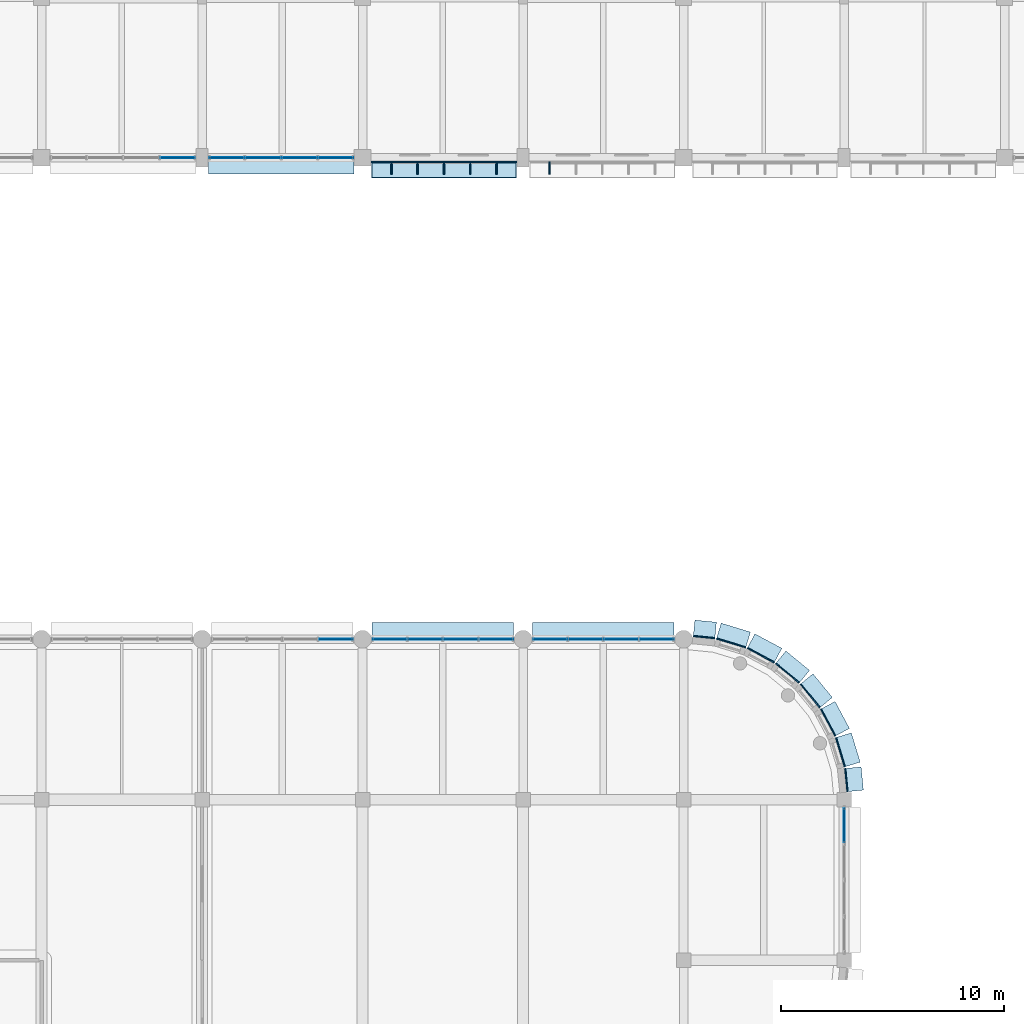
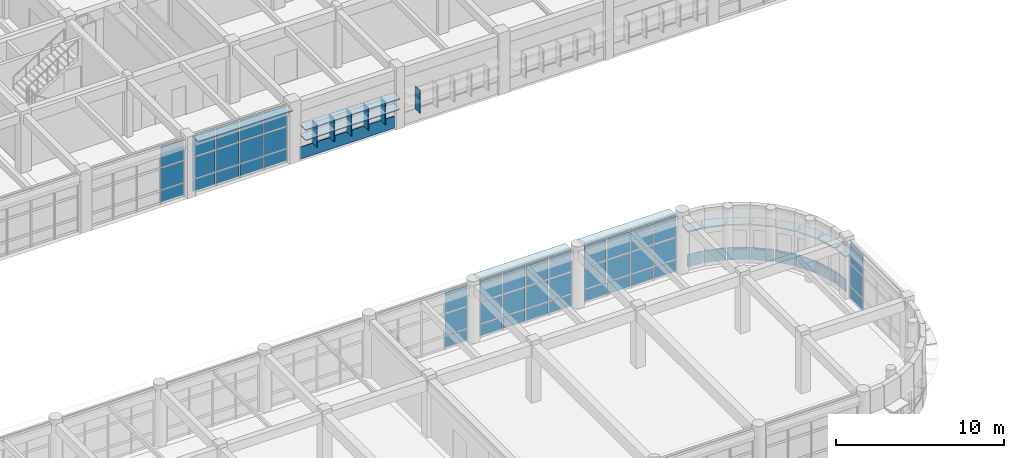
# One storey, part 136 of 171: 73 plates, 6 elements without a shape of their own.
"""IFC4 building model written with IfcOpenShell, lengths in metres."""

import ifcopenshell
import ifcopenshell.guid

model = None  # the IFC model being written
_history = None  # IfcOwnerHistory: only IFC2X3 demands one
_inside = {}  # id of a spatial element -> (the spatial element, [elements in it])
_under = {}  # id of a project, library or spatial element -> (it, [spatial elements below it])
_declared = {}  # id of a project -> (the project, [libraries it declares])
_typed = {}  # id of a type object -> (the type object, [elements of that type])
_made_of = {}  # id of a material, layer set ... -> (it, [elements and type objects made of it])


def new_model(schema):
    """Start an empty IFC model of exactly this schema.

    Asked for "IFC4X3", IfcOpenShell would pick the latest addendum, in which some entities
    have other attributes; the version numbers below select the first issue.
    IFC2X3 requires an IfcOwnerHistory on every rooted entity: one is made here for all.
    """
    global model, _history
    if schema == "IFC4X3":
        model = ifcopenshell.file(schema_version=(4, 3, 0, 0))
    else:
        model = ifcopenshell.file(schema=schema)
    _inside.clear()
    _under.clear()
    _declared.clear()
    _typed.clear()
    _made_of.clear()
    _history = None
    if model.schema == "IFC2X3":
        org = make("IfcOrganization", Name="unknown")
        user = make(
            "IfcPersonAndOrganization",
            ThePerson=make("IfcPerson", FamilyName="unknown"),
            TheOrganization=org,
        )
        app = make(
            "IfcApplication",
            ApplicationDeveloper=org,
            Version="unknown",
            ApplicationFullName="unknown",
            ApplicationIdentifier="unknown",
        )
        _history = make(
            "IfcOwnerHistory",
            OwningUser=user,
            OwningApplication=app,
            ChangeAction="ADDED",
            CreationDate=0,
        )
    return model


def make(cls, **values):
    """One entity of the class cls with the attributes given. An attribute that is None is left unset."""
    return model.create_entity(
        cls, **{name: value for name, value in values.items() if value is not None}
    )


def rooted(cls, **values):
    """An entity with a GlobalId (a new one), such as an element, a storey or a relation."""
    return make(cls, GlobalId=ifcopenshell.guid.new(), OwnerHistory=_history, **values)


def si_unit(unit_type, name, prefix=None):
    """IfcSIUnit, for example si_unit("LENGTHUNIT", "METRE", prefix="MILLI")."""
    return make("IfcSIUnit", UnitType=unit_type, Prefix=prefix, Name=name)


def assignment(units):
    """IfcUnitAssignment: the units of a project."""
    return None if units is None else make("IfcUnitAssignment", Units=units)


def point(xyz):
    """IfcCartesianPoint."""
    return None if xyz is None else make("IfcCartesianPoint", Coordinates=xyz)


def direction(xyz):
    """IfcDirection."""
    return None if xyz is None else make("IfcDirection", DirectionRatios=xyz)


def frame(location, z_axis=None, x_axis=None):
    """IfcAxis2Placement3D, a coordinate frame: its origin and axes. An axis left out is left unset."""
    return make(
        "IfcAxis2Placement3D",
        Location=point(location),
        Axis=direction(z_axis),
        RefDirection=direction(x_axis),
    )


def frame_2d(location, x_axis=None):
    """IfcAxis2Placement2D, a coordinate frame in the plane: its origin and x axis."""
    return make(
        "IfcAxis2Placement2D", Location=point(location), RefDirection=direction(x_axis)
    )


def origin():
    """The frame at (0, 0, 0) with its axes left unset."""
    return frame((0.0, 0.0, 0.0))


def origin_2d():
    """The frame at (0, 0) in the plane with its x axis left unset."""
    return frame_2d((0.0, 0.0))


def place(relative_to, where):
    """IfcLocalPlacement: puts the frame where relative to a parent placement (None: the world)."""
    return make(
        "IfcLocalPlacement", PlacementRelTo=relative_to, RelativePlacement=where
    )


def context(
    kind, dimensions, precision=None, world=None, true_north=None, identifier=None
):
    """IfcGeometricRepresentationContext, for example the 3D "Model" context."""
    return make(
        "IfcGeometricRepresentationContext",
        ContextIdentifier=identifier,
        ContextType=kind,
        CoordinateSpaceDimension=dimensions,
        Precision=precision,
        WorldCoordinateSystem=world,
        TrueNorth=true_north,
    )


def subcontext(parent, identifier, kind, view, scale=None):
    """IfcGeometricRepresentationSubContext, for example "Body" below "Model"."""
    return make(
        "IfcGeometricRepresentationSubContext",
        ContextIdentifier=identifier,
        ContextType=kind,
        ParentContext=parent,
        TargetScale=scale,
        TargetView=view,
    )


def project(units=None, contexts=None):
    """IfcProject with its units and contexts."""
    return rooted(
        "IfcProject",
        Name="project",
        RepresentationContexts=contexts,
        UnitsInContext=assignment(units),
    )


def spatial(cls, under=None, at=None, **own):
    """A site, building, storey or space (cls), placed at a placement, below another one or the project."""
    s = rooted(cls, ObjectPlacement=at, **own)
    if under is not None:
        _under.setdefault(under.id(), (under, []))[1].append(s)
    return s


def profile(cls, at=None, kind="AREA", **sizes):
    """A parametric profile (cls). Its sizes go by their IFC names, for example OverallWidth=200.0."""
    return make(cls, ProfileType=kind, Position=at, **sizes)


def rectangle(**sizes):
    """IfcRectangleProfileDef."""
    return profile("IfcRectangleProfileDef", **sizes)


def extrude(swept, where, along, depth):
    """IfcExtrudedAreaSolid: the profile swept, set in the frame where, extruded along a direction by depth."""
    return make(
        "IfcExtrudedAreaSolid",
        SweptArea=swept,
        Position=where,
        ExtrudedDirection=direction(along),
        Depth=depth,
    )


def shape(context_of_items, identifier, shape_type, items):
    """IfcShapeRepresentation: the items that make up one representation, for example the "Body"."""
    return make(
        "IfcShapeRepresentation",
        ContextOfItems=context_of_items,
        RepresentationIdentifier=identifier,
        RepresentationType=shape_type,
        Items=items,
    )


def material(Name=None, Category=None):
    """IfcMaterial."""
    return make("IfcMaterial", Name=Name, Category=Category)


def layer(
    of_material, thickness, ventilated=None, Name=None, Category=None, Priority=None
):
    """IfcMaterialLayer: one layer of a wall or slab, of a material (None: an air gap)."""
    return make(
        "IfcMaterialLayer",
        Material=of_material,
        LayerThickness=thickness,
        IsVentilated=ventilated,
        Name=Name,
        Category=Category,
        Priority=Priority,
    )


def layer_set(layers, Name=None):
    """IfcMaterialLayerSet."""
    return make("IfcMaterialLayerSet", MaterialLayers=layers, LayerSetName=Name)


def made_of(thing, what):
    """Note that an element or type object is made of a material, layer set ...; save() writes the relation."""
    if what is not None:
        _made_of.setdefault(what.id(), (what, []))[1].append(thing)
    return thing


def type_object(cls, material=None, **own):
    """A type object (cls), such as IfcWallType, which elements share."""
    return made_of(rooted(cls, **own), material)


def element(
    cls,
    number,
    at=None,
    inside=None,
    cuts=None,
    type_object=None,
    material=None,
    context=None,
    identifier="Body",
    shape_type=None,
    held_by="IfcProductDefinitionShape",
    body=None,
    shapes=None,
    **own,
):
    """One element of the class cls, such as IfcWall. Its Tag is "e" and its number.

    at: its placement. inside: the storey or other place that contains it. cuts: it is an
    opening in that element (IfcRelVoidsElement). A single representation is given by context,
    identifier, shape_type and body (its items); several are given by shapes. held_by: the class
    of the entity that holds the representations. save() writes the other relations.
    """
    e = rooted(cls, Tag="e%d" % number, ObjectPlacement=at, **own)
    if body is not None:
        shapes = [shape(context, identifier, shape_type, body)]
    if shapes is not None:
        e.Representation = make(held_by, Representations=shapes)
    if inside is not None:
        _inside.setdefault(inside.id(), (inside, []))[1].append(e)
    if cuts is not None:
        rooted(
            "IfcRelVoidsElement", RelatingBuildingElement=cuts, RelatedOpeningElement=e
        )
    if type_object is not None:
        _typed.setdefault(type_object.id(), (type_object, []))[1].append(e)
    return made_of(e, material)


def aggregate(whole, parts):
    """IfcRelAggregates: a whole, such as a stair, and the parts it consists of."""
    return rooted("IfcRelAggregates", RelatingObject=whole, RelatedObjects=parts)


def save(model, path):
    """Write the relations noted so far, then the file.

    IfcRelAggregates (storeys below a building ...), IfcRelContainedInSpatialStructure (elements
    in a storey), IfcRelDefinesByType, IfcRelAssociatesMaterial and IfcRelDeclares: one each for
    every whole, place, type object, material and project.
    """
    for whole, parts in _under.values():
        aggregate(whole, parts)
    for where, things in _inside.values():
        rooted(
            "IfcRelContainedInSpatialStructure",
            RelatedElements=things,
            RelatingStructure=where,
        )
    for kind, things in _typed.values():
        rooted("IfcRelDefinesByType", RelatedObjects=things, RelatingType=kind)
    for what, things in _made_of.values():
        rooted("IfcRelAssociatesMaterial", RelatedObjects=things, RelatingMaterial=what)
    for by, libraries in _declared.values():
        rooted("IfcRelDeclares", RelatingContext=by, RelatedDefinitions=libraries)
    model.write(path)


model = new_model("IFC4")

# Units and contexts
model_context = context("Model", 3, precision=1e-05, world=origin(), true_north=direction((0.0, 1.0)))
body_context = subcontext(model_context, "Body", "Model", "MODEL_VIEW")
ifc_project = project(units=[si_unit("LENGTHUNIT", "METRE"), si_unit("AREAUNIT", "SQUARE_METRE"), si_unit("VOLUMEUNIT", "CUBIC_METRE"), si_unit("PLANEANGLEUNIT", "RADIAN"), si_unit("MASSUNIT", "GRAM", prefix="KILO")], contexts=[model_context])

# Site, building, storey
site_placement = place(None, origin())
site = spatial("IfcSite", under=ifc_project, at=site_placement, CompositionType="ELEMENT")
building_placement = place(site_placement, origin())
building = spatial("IfcBuilding", under=site, at=building_placement, Name="Thalmaran Polytechnic", CompositionType="ELEMENT")
storey_placement = place(building_placement, frame((0.0, 0.0, 5.39990234375)))
storey = spatial("IfcBuildingStorey", under=building, at=storey_placement, Name="L01", CompositionType="ELEMENT", Elevation=5.39990234375)

# Plates
ifc_material_1 = material(Name="Anodised aluminium spandrel band", Category="aluminium")
ifc_layer_1 = layer(ifc_material_1, 0.054931640625, Name="Anodised aluminium spandrel band")
ifc_layer_set_1 = layer_set([ifc_layer_1], Name="Anodised aluminium spandrel band")
plate_type_1 = type_object("IfcPlateType", Name="PT-BD01", PredefinedType="SHEET", material=ifc_layer_set_1)
plate_1_placement = place(storey_placement, frame((87.319091796875, 72.09033203125, 0.020263671875), z_axis=(0.0, 0.0, 1.0), x_axis=(0.995184726672, -0.09801714033, 0.0)))
element("IfcPlate", 1, at=plate_1_placement, inside=storey, type_object=plate_type_1, Name="Streamline Horizontal Spandrel Band L01-144", PredefinedType="SHEET", context=body_context, shape_type="SweptSolid", body=[
    extrude(rectangle(XDim=0.971435546875, YDim=0.054931640625, at=origin_2d()), origin(), (0.0, 0.0, 1.0), 0.8798828125),
])
for number, where, z_axis, x_axis, name in (
    (2, (88.5322265625, 71.8291015625, 0.020263671875), (0.0, 0.0, 1.0), (0.956940335732, -0.290284677254, 0.0), "Streamline Horizontal Spandrel Band L01-145"),
    (3, (89.862548828125, 71.278076171875, 0.020263671875), (0.0, 0.0, 1.0), (0.881921264348, -0.471396736826, 0.0), "Streamline Horizontal Spandrel Band L01-146"),
    (4, (91.059814453125, 70.47802734375, 0.020263671875), (0.0, 0.0, 1.0), (0.773010453363, -0.634393284164, 0.0), "Streamline Horizontal Spandrel Band L01-147"),
    (5, (92.078125, 69.459716796875, 0.020263671875), (0.0, 0.0, 1.0), (0.634393284164, -0.773010453363, 0.0), "Streamline Horizontal Spandrel Band L01-148"),
    (6, (92.8779296875, 68.262451171875, 0.020263671875), (0.0, 0.0, 1.0), (0.471396736826, -0.881921264348, 0.0), "Streamline Horizontal Spandrel Band L01-149"),
    (7, (93.428955078125, 66.93212890625, 0.020263671875), (0.0, 0.0, 1.0), (0.290284677254, -0.956940335732, 0.0), "Streamline Horizontal Spandrel Band L01-150"),
):
    element("IfcPlate", number, at=place(storey_placement, frame(where, z_axis=z_axis, x_axis=x_axis)), inside=storey, type_object=plate_type_1, Name=name, PredefinedType="SHEET", context=body_context, shape_type="SweptSolid", body=[
        extrude(rectangle(XDim=1.371337890625, YDim=0.054931640625, at=origin_2d()), origin(), (0.0, 0.0, 1.0), 0.8798828125),
    ])
plate_2_placement = place(storey_placement, frame((93.694091796875, 65.681640625, 0.020263671875), z_axis=(0.0, 0.0, 1.0), x_axis=(0.09801714033, -0.995184726672, 0.0)))
element("IfcPlate", 8, at=plate_2_placement, inside=storey, type_object=plate_type_1, Name="Streamline Horizontal Spandrel Band L01-151", PredefinedType="SHEET", context=body_context, shape_type="SweptSolid", body=[
    extrude(rectangle(XDim=1.04638671875, YDim=0.054931640625, at=origin_2d()), origin(), (0.0, 0.0, 1.0), 0.8798828125),
])
plate_3_placement = place(storey_placement, frame((75.64990234375, 93.405029296875, 0.020263671875), z_axis=(0.0, 0.0, 1.0), x_axis=(-1.0, 0.0, 0.0)))
element("IfcPlate", 9, at=plate_3_placement, inside=storey, type_object=plate_type_1, Name="Streamline Horizontal Spandrel Band L01-212", PredefinedType="SHEET", context=body_context, shape_type="SweptSolid", body=[
    extrude(rectangle(XDim=6.510009765625, YDim=0.054931640625, at=origin_2d()), origin(), (0.0, 0.0, 1.0), 0.8798828125),
])
ifc_material_2 = material(Name="Anodised aluminium sun-hood eyebrow", Category="aluminium")
ifc_layer_2 = layer(ifc_material_2, 0.0849609375, Name="Anodised aluminium sun-hood eyebrow")
ifc_layer_set_2 = layer_set([ifc_layer_2], Name="Anodised aluminium sun-hood eyebrow")
plate_type_2 = type_object("IfcPlateType", Name="PT-EB01", PredefinedType="SHEET", material=ifc_layer_set_2)
plate_4_placement = place(storey_placement, frame((68.35009765625, 93.239990234375, 4.107666015625), z_axis=(0.0, 0.0, 1.0), x_axis=(-1.0, 0.0, 0.0)))
element("IfcPlate", 10, at=plate_4_placement, inside=storey, type_object=plate_type_2, Name="Streamline Sun-Hood Eyebrow L01-CW129", PredefinedType="SHEET", context=body_context, shape_type="SweptSolid", body=[
    extrude(rectangle(XDim=6.510009765625, YDim=0.760009765625, at=origin_2d()), origin(), (0.0, 0.0, 1.0), 0.0849609375),
])
for number, where, z_axis, x_axis, name in (
    (11, (75.60009765625, 72.360107421875, 4.107666015625), (0.0, 0.0, 1.0), (1.0, 0.0, 0.0), "Streamline Sun-Hood Eyebrow L01-CW146"),
    (12, (82.800048828125, 72.360107421875, 4.107666015625), (0.0, 0.0, 1.0), (1.0, 0.0, 0.0), "Streamline Sun-Hood Eyebrow L01-CW147"),
):
    element("IfcPlate", number, at=place(storey_placement, frame(where, z_axis=z_axis, x_axis=x_axis)), inside=storey, type_object=plate_type_2, Name=name, PredefinedType="SHEET", context=body_context, shape_type="SweptSolid", body=[
        extrude(rectangle(XDim=6.360107421875, YDim=0.760009765625, at=origin_2d()), origin(), (0.0, 0.0, 1.0), 0.0849609375),
    ])
plate_5_placement = place(storey_placement, frame((87.352783203125, 72.43359375, 2.517578125), z_axis=(0.0, 0.0, 1.0), x_axis=(0.995184726672, -0.09801714033, 0.0)))
element("IfcPlate", 13, at=plate_5_placement, inside=storey, type_object=plate_type_2, Name="Streamline Sun-Hood Eyebrow L01-144", PredefinedType="SHEET", context=body_context, shape_type="SweptSolid", body=[
    extrude(rectangle(XDim=0.971435546875, YDim=0.760009765625, at=origin_2d()), origin(), (0.0, 0.0, 1.0), 0.0849609375),
])
for number, where, z_axis, x_axis, name in (
    (14, (88.63232421875, 72.1591796875, 2.517578125), (0.0, 0.0, 1.0), (0.956940335732, -0.290284677254, 0.0), "Streamline Sun-Hood Eyebrow L01-145"),
    (15, (90.025146484375, 71.582275390625, 2.517578125), (0.0, 0.0, 1.0), (0.881921264348, -0.471396736826, 0.0), "Streamline Sun-Hood Eyebrow L01-146"),
    (16, (91.27880859375, 70.74462890625, 2.517578125), (0.0, 0.0, 1.0), (0.773010453363, -0.634393284164, 0.0), "Streamline Sun-Hood Eyebrow L01-147"),
    (17, (92.3447265625, 69.6787109375, 2.517578125), (0.0, 0.0, 1.0), (0.634393284164, -0.773010453363, 0.0), "Streamline Sun-Hood Eyebrow L01-148"),
    (18, (93.182373046875, 68.42529296875, 2.517578125), (0.0, 0.0, 1.0), (0.471396736826, -0.881921264348, 0.0), "Streamline Sun-Hood Eyebrow L01-149"),
    (19, (93.75927734375, 67.032470703125, 2.517578125), (0.0, 0.0, 1.0), (0.290284677254, -0.956940335732, 0.0), "Streamline Sun-Hood Eyebrow L01-150"),
):
    element("IfcPlate", number, at=place(storey_placement, frame(where, z_axis=z_axis, x_axis=x_axis)), inside=storey, type_object=plate_type_2, Name=name, PredefinedType="SHEET", context=body_context, shape_type="SweptSolid", body=[
        extrude(rectangle(XDim=1.371337890625, YDim=0.760009765625, at=origin_2d()), origin(), (0.0, 0.0, 1.0), 0.0849609375),
    ])
plate_6_placement = place(storey_placement, frame((94.037353515625, 65.715576171875, 2.517578125), z_axis=(0.0, 0.0, 1.0), x_axis=(0.09801714033, -0.995184726672, 0.0)))
element("IfcPlate", 20, at=plate_6_placement, inside=storey, type_object=plate_type_2, Name="Streamline Sun-Hood Eyebrow L01-151", PredefinedType="SHEET", context=body_context, shape_type="SweptSolid", body=[
    extrude(rectangle(XDim=1.04638671875, YDim=0.760009765625, at=origin_2d()), origin(), (0.0, 0.0, 1.0), 0.0849609375),
])
plate_7_placement = place(storey_placement, frame((75.64990234375, 93.06005859375, 2.517578125), z_axis=(0.0, 0.0, 1.0), x_axis=(-1.0, 0.0, 0.0)))
element("IfcPlate", 21, at=plate_7_placement, inside=storey, type_object=plate_type_2, Name="Streamline Sun-Hood Eyebrow L01-212", PredefinedType="SHEET", context=body_context, shape_type="SweptSolid", body=[
    extrude(rectangle(XDim=6.510009765625, YDim=0.760009765625, at=origin_2d()), origin(), (0.0, 0.0, 1.0), 0.0849609375),
])
plate_8_placement = place(storey_placement, frame((75.64990234375, 93.080078125, 1.74267578125), z_axis=(0.0, 0.0, 1.0), x_axis=(-1.0, 0.0, 0.0)))
element("IfcPlate", 22, at=plate_8_placement, inside=storey, type_object=plate_type_2, Name="Abu Dhabi Horizontal Solar Louvre L01-212", PredefinedType="SHEET", context=body_context, shape_type="SweptSolid", body=[
    extrude(rectangle(XDim=6.469970703125, YDim=0.719970703125, at=origin_2d()), origin(), (0.0, 0.0, 1.0), 0.074951171875),
])
ifc_material_3 = material(Name="Anodised bronze brise-soleil fin")
ifc_layer_3 = layer(ifc_material_3, 0.06494140625, Name="Anodised bronze brise-soleil fin")
ifc_layer_set_3 = layer_set([ifc_layer_3], Name="Anodised bronze brise-soleil fin")
plate_type_3 = type_object("IfcPlateType", Name="PT-FN01", PredefinedType="SHEET", material=ifc_layer_set_3)
for number, where, z_axis, x_axis, name in (
    (23, (80.39208984375, 93.139892578125, 0.895263671875), (0.0, 0.0, 1.0), (-1.0, 0.0, 0.0), "Abu Dhabi Solar Brise-Soleil Fin L01-211-5"),
    (24, (78.008056640625, 93.139892578125, 0.895263671875), (0.0, 0.0, 1.0), (-1.0, 0.0, 0.0), "Abu Dhabi Solar Brise-Soleil Fin L01-212-1"),
    (25, (76.8291015625, 93.139892578125, 0.895263671875), (0.0, 0.0, 1.0), (-1.0, 0.0, 0.0), "Abu Dhabi Solar Brise-Soleil Fin L01-212-2"),
    (26, (75.64990234375, 93.139892578125, 0.895263671875), (0.0, 0.0, 1.0), (-1.0, 0.0, 0.0), "Abu Dhabi Solar Brise-Soleil Fin L01-212-3"),
    (27, (74.470947265625, 93.139892578125, 0.895263671875), (0.0, 0.0, 1.0), (-1.0, 0.0, 0.0), "Abu Dhabi Solar Brise-Soleil Fin L01-212-4"),
    (28, (73.2919921875, 93.139892578125, 0.895263671875), (0.0, 0.0, 1.0), (-1.0, 0.0, 0.0), "Abu Dhabi Solar Brise-Soleil Fin L01-212-5"),
):
    element("IfcPlate", number, at=place(storey_placement, frame(where, z_axis=z_axis, x_axis=x_axis)), inside=storey, type_object=plate_type_3, Name=name, PredefinedType="SHEET", context=body_context, shape_type="SweptSolid", body=[
        extrude(rectangle(XDim=0.06494140625, YDim=0.56005859375, at=origin_2d()), origin(), (0.0, 0.0, 1.0), 1.64990234375),
    ])

# Curtain wall, plates
ifc_material_4 = material(Name="Aluminium 6063-T6", Category="aluminium")
curtain_wall_type_1 = type_object("IfcCurtainWallType", Name="CW-UC02", PredefinedType="USERDEFINED", material=ifc_material_4)
curtain_wall_1_placement = place(storey_placement, origin())
curtain_wall_1 = element("IfcCurtainWall", 29, at=curtain_wall_1_placement, inside=storey, type_object=curtain_wall_type_1, Name="Curtain Wall CW-L01-130", ObjectType="UNITISED CURTAIN WALL", PredefinedType="USERDEFINED")
ifc_material_5 = material(Name="Solar-control double low-E glass", Category="glass")
ifc_layer_4 = layer(ifc_material_5, 0.035888671875, Name="Solar-control double low-E glass")
ifc_layer_set_4 = layer_set([ifc_layer_4], Name="Solar-control double low-E glass")
plate_type_4 = type_object("IfcPlateType", Name="PT-GL01", PredefinedType="CURTAIN_PANEL", material=ifc_layer_set_4)
plate_9_placement = place(storey_placement, frame((63.706298828125, 93.60009765625, 1.000244140625), z_axis=(0.0, 0.0, 1.0), x_axis=(-1.0, 0.0, 0.0)))
plate_9 = element("IfcPlate", 30, at=plate_9_placement, type_object=plate_type_4, Name="CW-L01-130 Vision Panel 1-2", PredefinedType="CURTAIN_PANEL", context=body_context, shape_type="SweptSolid", body=[
    extrude(rectangle(XDim=1.53759765625, YDim=0.035888671875, at=origin_2d()), origin(), (0.0, 0.0, 1.0), 1.544921875),
])
plate_10_placement = place(storey_placement, frame((63.706298828125, 93.60009765625, 2.625), z_axis=(0.0, 0.0, 1.0), x_axis=(-1.0, 0.0, 0.0)))
plate_10 = element("IfcPlate", 31, at=plate_10_placement, type_object=plate_type_4, Name="CW-L01-130 Vision Panel 1-3", PredefinedType="CURTAIN_PANEL", context=body_context, shape_type="SweptSolid", body=[
    extrude(rectangle(XDim=1.53759765625, YDim=0.035888671875, at=origin_2d()), origin(), (0.0, 0.0, 1.0), 1.485107421875),
])

curtain_wall_type_2 = type_object("IfcCurtainWallType", Name="CW-SC01", PredefinedType="USERDEFINED", material=ifc_material_4)
curtain_wall_2_placement = place(storey_placement, origin())
curtain_wall_2 = element("IfcCurtainWall", 32, at=curtain_wall_2_placement, inside=storey, type_object=curtain_wall_type_2, Name="Curtain Wall CW-L01-145", ObjectType="STICK CURTAIN WALL", PredefinedType="USERDEFINED")
plate_11_placement = place(storey_placement, frame((70.800048828125, 72.0, 1.000244140625), z_axis=(0.0, 0.0, 1.0), x_axis=(1.0, 0.0, 0.0)))
plate_11 = element("IfcPlate", 33, at=plate_11_placement, type_object=plate_type_4, Name="CW-L01-145 Vision Panel 4-2", PredefinedType="CURTAIN_PANEL", context=body_context, shape_type="SweptSolid", body=[
    extrude(rectangle(XDim=1.5, YDim=0.035888671875, at=origin_2d()), origin(), (0.0, 0.0, 1.0), 1.544921875),
])
plate_12_placement = place(storey_placement, frame((70.800048828125, 72.0, 2.625), z_axis=(0.0, 0.0, 1.0), x_axis=(1.0, 0.0, 0.0)))
plate_12 = element("IfcPlate", 34, at=plate_12_placement, type_object=plate_type_4, Name="CW-L01-145 Vision Panel 4-3", PredefinedType="CURTAIN_PANEL", context=body_context, shape_type="SweptSolid", body=[
    extrude(rectangle(XDim=1.5, YDim=0.035888671875, at=origin_2d()), origin(), (0.0, 0.0, 1.0), 1.485107421875),
])

curtain_wall_3_placement = place(storey_placement, origin())
curtain_wall_3 = element("IfcCurtainWall", 35, at=curtain_wall_3_placement, inside=storey, type_object=curtain_wall_type_2, Name="Curtain Wall CW-L01-146", ObjectType="STICK CURTAIN WALL", PredefinedType="USERDEFINED")
ifc_layer_5 = layer(ifc_material_5, 0.035888671875, Name="Solar-control double low-E glass")
ifc_layer_set_5 = layer_set([ifc_layer_5], Name="Solar-control double low-E glass")
plate_type_5 = type_object("IfcPlateType", Name="PT-GL02", PredefinedType="CURTAIN_PANEL", material=ifc_layer_set_5)
plate_13_placement = place(storey_placement, frame((73.199951171875, 72.0, 1.000244140625), z_axis=(0.0, 0.0, 1.0), x_axis=(1.0, 0.0, 0.0)))
plate_13 = element("IfcPlate", 36, at=plate_13_placement, type_object=plate_type_5, Name="CW-L01-146 Vision Panel 1-2", PredefinedType="CURTAIN_PANEL", context=body_context, shape_type="SweptSolid", body=[
    extrude(rectangle(XDim=1.5, YDim=0.035888671875, at=origin_2d()), origin(), (0.0, 0.0, 1.0), 1.544921875),
])
plate_14_placement = place(storey_placement, frame((73.199951171875, 72.0, 2.625), z_axis=(0.0, 0.0, 1.0), x_axis=(1.0, 0.0, 0.0)))
plate_14 = element("IfcPlate", 37, at=plate_14_placement, type_object=plate_type_5, Name="CW-L01-146 Vision Panel 1-3", PredefinedType="CURTAIN_PANEL", context=body_context, shape_type="SweptSolid", body=[
    extrude(rectangle(XDim=1.5, YDim=0.035888671875, at=origin_2d()), origin(), (0.0, 0.0, 1.0), 1.485107421875),
])
plate_15_placement = place(storey_placement, frame((74.800048828125, 72.0, 1.000244140625), z_axis=(0.0, 0.0, 1.0), x_axis=(1.0, 0.0, 0.0)))
plate_15 = element("IfcPlate", 38, at=plate_15_placement, type_object=plate_type_5, Name="CW-L01-146 Vision Panel 2-2", PredefinedType="CURTAIN_PANEL", context=body_context, shape_type="SweptSolid", body=[
    extrude(rectangle(XDim=1.5, YDim=0.035888671875, at=origin_2d()), origin(), (0.0, 0.0, 1.0), 1.544921875),
])
plate_16_placement = place(storey_placement, frame((74.800048828125, 72.0, 2.625), z_axis=(0.0, 0.0, 1.0), x_axis=(1.0, 0.0, 0.0)))
plate_16 = element("IfcPlate", 39, at=plate_16_placement, type_object=plate_type_5, Name="CW-L01-146 Vision Panel 2-3", PredefinedType="CURTAIN_PANEL", context=body_context, shape_type="SweptSolid", body=[
    extrude(rectangle(XDim=1.5, YDim=0.035888671875, at=origin_2d()), origin(), (0.0, 0.0, 1.0), 1.485107421875),
])
plate_17_placement = place(storey_placement, frame((76.39990234375, 72.0, 1.000244140625), z_axis=(0.0, 0.0, 1.0), x_axis=(1.0, 0.0, 0.0)))
plate_17 = element("IfcPlate", 40, at=plate_17_placement, type_object=plate_type_5, Name="CW-L01-146 Vision Panel 3-2", PredefinedType="CURTAIN_PANEL", context=body_context, shape_type="SweptSolid", body=[
    extrude(rectangle(XDim=1.5, YDim=0.035888671875, at=origin_2d()), origin(), (0.0, 0.0, 1.0), 1.544921875),
])
plate_18_placement = place(storey_placement, frame((76.39990234375, 72.0, 2.625), z_axis=(0.0, 0.0, 1.0), x_axis=(1.0, 0.0, 0.0)))
plate_18 = element("IfcPlate", 41, at=plate_18_placement, type_object=plate_type_5, Name="CW-L01-146 Vision Panel 3-3", PredefinedType="CURTAIN_PANEL", context=body_context, shape_type="SweptSolid", body=[
    extrude(rectangle(XDim=1.5, YDim=0.035888671875, at=origin_2d()), origin(), (0.0, 0.0, 1.0), 1.485107421875),
])
plate_19_placement = place(storey_placement, frame((78.0, 72.0, 1.000244140625), z_axis=(0.0, 0.0, 1.0), x_axis=(1.0, 0.0, 0.0)))
plate_19 = element("IfcPlate", 42, at=plate_19_placement, type_object=plate_type_5, Name="CW-L01-146 Vision Panel 4-2", PredefinedType="CURTAIN_PANEL", context=body_context, shape_type="SweptSolid", body=[
    extrude(rectangle(XDim=1.5, YDim=0.035888671875, at=origin_2d()), origin(), (0.0, 0.0, 1.0), 1.544921875),
])
plate_20_placement = place(storey_placement, frame((78.0, 72.0, 2.625), z_axis=(0.0, 0.0, 1.0), x_axis=(1.0, 0.0, 0.0)))
plate_20 = element("IfcPlate", 43, at=plate_20_placement, type_object=plate_type_5, Name="CW-L01-146 Vision Panel 4-3", PredefinedType="CURTAIN_PANEL", context=body_context, shape_type="SweptSolid", body=[
    extrude(rectangle(XDim=1.5, YDim=0.035888671875, at=origin_2d()), origin(), (0.0, 0.0, 1.0), 1.485107421875),
])

curtain_wall_4_placement = place(storey_placement, origin())
curtain_wall_4 = element("IfcCurtainWall", 44, at=curtain_wall_4_placement, inside=storey, type_object=curtain_wall_type_2, Name="Curtain Wall CW-L01-147", ObjectType="STICK CURTAIN WALL", PredefinedType="USERDEFINED")
ifc_layer_6 = layer(ifc_material_5, 0.035888671875, Name="Solar-control double low-E glass")
ifc_layer_set_6 = layer_set([ifc_layer_6], Name="Solar-control double low-E glass")
plate_type_6 = type_object("IfcPlateType", Name="PT-GL03", PredefinedType="CURTAIN_PANEL", material=ifc_layer_set_6)
plate_21_placement = place(storey_placement, frame((80.39990234375, 72.0, 1.000244140625), z_axis=(0.0, 0.0, 1.0), x_axis=(1.0, 0.0, 0.0)))
plate_21 = element("IfcPlate", 45, at=plate_21_placement, type_object=plate_type_6, Name="CW-L01-147 Vision Panel 1-2", PredefinedType="CURTAIN_PANEL", context=body_context, shape_type="SweptSolid", body=[
    extrude(rectangle(XDim=1.5, YDim=0.035888671875, at=origin_2d()), origin(), (0.0, 0.0, 1.0), 1.544921875),
])
plate_22_placement = place(storey_placement, frame((80.39990234375, 72.0, 2.625), z_axis=(0.0, 0.0, 1.0), x_axis=(1.0, 0.0, 0.0)))
plate_22 = element("IfcPlate", 46, at=plate_22_placement, type_object=plate_type_6, Name="CW-L01-147 Vision Panel 1-3", PredefinedType="CURTAIN_PANEL", context=body_context, shape_type="SweptSolid", body=[
    extrude(rectangle(XDim=1.5, YDim=0.035888671875, at=origin_2d()), origin(), (0.0, 0.0, 1.0), 1.485107421875),
])
plate_23_placement = place(storey_placement, frame((82.0, 72.0, 1.000244140625), z_axis=(0.0, 0.0, 1.0), x_axis=(1.0, 0.0, 0.0)))
plate_23 = element("IfcPlate", 47, at=plate_23_placement, type_object=plate_type_6, Name="CW-L01-147 Vision Panel 2-2", PredefinedType="CURTAIN_PANEL", context=body_context, shape_type="SweptSolid", body=[
    extrude(rectangle(XDim=1.5, YDim=0.035888671875, at=origin_2d()), origin(), (0.0, 0.0, 1.0), 1.544921875),
])
plate_24_placement = place(storey_placement, frame((82.0, 72.0, 2.625), z_axis=(0.0, 0.0, 1.0), x_axis=(1.0, 0.0, 0.0)))
plate_24 = element("IfcPlate", 48, at=plate_24_placement, type_object=plate_type_6, Name="CW-L01-147 Vision Panel 2-3", PredefinedType="CURTAIN_PANEL", context=body_context, shape_type="SweptSolid", body=[
    extrude(rectangle(XDim=1.5, YDim=0.035888671875, at=origin_2d()), origin(), (0.0, 0.0, 1.0), 1.485107421875),
])
plate_25_placement = place(storey_placement, frame((83.60009765625, 72.0, 1.000244140625), z_axis=(0.0, 0.0, 1.0), x_axis=(1.0, 0.0, 0.0)))
plate_25 = element("IfcPlate", 49, at=plate_25_placement, type_object=plate_type_6, Name="CW-L01-147 Vision Panel 3-2", PredefinedType="CURTAIN_PANEL", context=body_context, shape_type="SweptSolid", body=[
    extrude(rectangle(XDim=1.5, YDim=0.035888671875, at=origin_2d()), origin(), (0.0, 0.0, 1.0), 1.544921875),
])
plate_26_placement = place(storey_placement, frame((83.60009765625, 72.0, 2.625), z_axis=(0.0, 0.0, 1.0), x_axis=(1.0, 0.0, 0.0)))
plate_26 = element("IfcPlate", 50, at=plate_26_placement, type_object=plate_type_6, Name="CW-L01-147 Vision Panel 3-3", PredefinedType="CURTAIN_PANEL", context=body_context, shape_type="SweptSolid", body=[
    extrude(rectangle(XDim=1.5, YDim=0.035888671875, at=origin_2d()), origin(), (0.0, 0.0, 1.0), 1.485107421875),
])
plate_27_placement = place(storey_placement, frame((85.199951171875, 72.0, 1.000244140625), z_axis=(0.0, 0.0, 1.0), x_axis=(1.0, 0.0, 0.0)))
plate_27 = element("IfcPlate", 51, at=plate_27_placement, type_object=plate_type_6, Name="CW-L01-147 Vision Panel 4-2", PredefinedType="CURTAIN_PANEL", context=body_context, shape_type="SweptSolid", body=[
    extrude(rectangle(XDim=1.5, YDim=0.035888671875, at=origin_2d()), origin(), (0.0, 0.0, 1.0), 1.544921875),
])
plate_28_placement = place(storey_placement, frame((85.199951171875, 72.0, 2.625), z_axis=(0.0, 0.0, 1.0), x_axis=(1.0, 0.0, 0.0)))
plate_28 = element("IfcPlate", 52, at=plate_28_placement, type_object=plate_type_6, Name="CW-L01-147 Vision Panel 4-3", PredefinedType="CURTAIN_PANEL", context=body_context, shape_type="SweptSolid", body=[
    extrude(rectangle(XDim=1.5, YDim=0.035888671875, at=origin_2d()), origin(), (0.0, 0.0, 1.0), 1.485107421875),
])

curtain_wall_5_placement = place(storey_placement, origin())
curtain_wall_5 = element("IfcCurtainWall", 53, at=curtain_wall_5_placement, inside=storey, type_object=curtain_wall_type_2, Name="Curtain Wall CW-L01-148", ObjectType="STICK CURTAIN WALL", PredefinedType="USERDEFINED")
ifc_layer_7 = layer(ifc_material_5, 0.035888671875, Name="Solar-control double low-E glass")
ifc_layer_set_7 = layer_set([ifc_layer_7], Name="Solar-control double low-E glass")
plate_type_7 = type_object("IfcPlateType", Name="PT-GL04", PredefinedType="CURTAIN_PANEL", material=ifc_layer_set_7)
plate_29_placement = place(storey_placement, frame((93.60009765625, 63.65625, 1.000244140625), z_axis=(0.0, 0.0, 1.0), x_axis=(0.0, -1.0, 0.0)))
plate_29 = element("IfcPlate", 54, at=plate_29_placement, type_object=plate_type_7, Name="CW-L01-148 Vision Panel 1-2", PredefinedType="CURTAIN_PANEL", context=body_context, shape_type="SweptSolid", body=[
    extrude(rectangle(XDim=1.53759765625, YDim=0.035888671875, at=origin_2d()), origin(), (0.0, 0.0, 1.0), 1.544921875),
])
plate_30_placement = place(storey_placement, frame((93.60009765625, 63.65625, 2.625), z_axis=(0.0, 0.0, 1.0), x_axis=(0.0, -1.0, 0.0)))
plate_30 = element("IfcPlate", 55, at=plate_30_placement, type_object=plate_type_7, Name="CW-L01-148 Vision Panel 1-3", PredefinedType="CURTAIN_PANEL", context=body_context, shape_type="SweptSolid", body=[
    extrude(rectangle(XDim=1.53759765625, YDim=0.035888671875, at=origin_2d()), origin(), (0.0, 0.0, 1.0), 1.485107421875),
])

curtain_wall_6_placement = place(storey_placement, origin())
curtain_wall_6 = element("IfcCurtainWall", 56, at=curtain_wall_6_placement, inside=storey, type_object=curtain_wall_type_1, Name="Curtain Wall CW-L01-129", ObjectType="UNITISED CURTAIN WALL", PredefinedType="USERDEFINED")
ifc_layer_8 = layer(ifc_material_5, 0.035888671875, Name="Solar-control double low-E glass")
ifc_layer_set_8 = layer_set([ifc_layer_8], Name="Solar-control double low-E glass")
plate_type_8 = type_object("IfcPlateType", Name="PT-GL05", PredefinedType="CURTAIN_PANEL", material=ifc_layer_set_8)
plate_31_placement = place(storey_placement, frame((70.80615234375, 93.60009765625, 1.000244140625), z_axis=(0.0, 0.0, 1.0), x_axis=(-1.0, 0.0, 0.0)))
plate_31 = element("IfcPlate", 57, at=plate_31_placement, type_object=plate_type_8, Name="CW-L01-129 Vision Panel 1-2", PredefinedType="CURTAIN_PANEL", context=body_context, shape_type="SweptSolid", body=[
    extrude(rectangle(XDim=1.53759765625, YDim=0.035888671875, at=origin_2d()), origin(), (0.0, 0.0, 1.0), 1.544921875),
])
plate_32_placement = place(storey_placement, frame((70.80615234375, 93.60009765625, 2.625), z_axis=(0.0, 0.0, 1.0), x_axis=(-1.0, 0.0, 0.0)))
plate_32 = element("IfcPlate", 58, at=plate_32_placement, type_object=plate_type_8, Name="CW-L01-129 Vision Panel 1-3", PredefinedType="CURTAIN_PANEL", context=body_context, shape_type="SweptSolid", body=[
    extrude(rectangle(XDim=1.53759765625, YDim=0.035888671875, at=origin_2d()), origin(), (0.0, 0.0, 1.0), 1.485107421875),
])
plate_33_placement = place(storey_placement, frame((69.168701171875, 93.60009765625, 1.000244140625), z_axis=(0.0, 0.0, 1.0), x_axis=(-1.0, 0.0, 0.0)))
plate_33 = element("IfcPlate", 59, at=plate_33_placement, type_object=plate_type_8, Name="CW-L01-129 Vision Panel 2-2", PredefinedType="CURTAIN_PANEL", context=body_context, shape_type="SweptSolid", body=[
    extrude(rectangle(XDim=1.53759765625, YDim=0.035888671875, at=origin_2d()), origin(), (0.0, 0.0, 1.0), 1.544921875),
])
plate_34_placement = place(storey_placement, frame((69.168701171875, 93.60009765625, 2.625), z_axis=(0.0, 0.0, 1.0), x_axis=(-1.0, 0.0, 0.0)))
plate_34 = element("IfcPlate", 60, at=plate_34_placement, type_object=plate_type_8, Name="CW-L01-129 Vision Panel 2-3", PredefinedType="CURTAIN_PANEL", context=body_context, shape_type="SweptSolid", body=[
    extrude(rectangle(XDim=1.53759765625, YDim=0.035888671875, at=origin_2d()), origin(), (0.0, 0.0, 1.0), 1.485107421875),
])
plate_35_placement = place(storey_placement, frame((67.53125, 93.60009765625, 1.000244140625), z_axis=(0.0, 0.0, 1.0), x_axis=(-1.0, 0.0, 0.0)))
plate_35 = element("IfcPlate", 61, at=plate_35_placement, type_object=plate_type_8, Name="CW-L01-129 Vision Panel 3-2", PredefinedType="CURTAIN_PANEL", context=body_context, shape_type="SweptSolid", body=[
    extrude(rectangle(XDim=1.53759765625, YDim=0.035888671875, at=origin_2d()), origin(), (0.0, 0.0, 1.0), 1.544921875),
])
plate_36_placement = place(storey_placement, frame((67.53125, 93.60009765625, 2.625), z_axis=(0.0, 0.0, 1.0), x_axis=(-1.0, 0.0, 0.0)))
plate_36 = element("IfcPlate", 62, at=plate_36_placement, type_object=plate_type_8, Name="CW-L01-129 Vision Panel 3-3", PredefinedType="CURTAIN_PANEL", context=body_context, shape_type="SweptSolid", body=[
    extrude(rectangle(XDim=1.53759765625, YDim=0.035888671875, at=origin_2d()), origin(), (0.0, 0.0, 1.0), 1.485107421875),
])
plate_37_placement = place(storey_placement, frame((65.893798828125, 93.60009765625, 1.000244140625), z_axis=(0.0, 0.0, 1.0), x_axis=(-1.0, 0.0, 0.0)))
plate_37 = element("IfcPlate", 63, at=plate_37_placement, type_object=plate_type_8, Name="CW-L01-129 Vision Panel 4-2", PredefinedType="CURTAIN_PANEL", context=body_context, shape_type="SweptSolid", body=[
    extrude(rectangle(XDim=1.53759765625, YDim=0.035888671875, at=origin_2d()), origin(), (0.0, 0.0, 1.0), 1.544921875),
])
plate_38_placement = place(storey_placement, frame((65.893798828125, 93.60009765625, 2.625), z_axis=(0.0, 0.0, 1.0), x_axis=(-1.0, 0.0, 0.0)))
plate_38 = element("IfcPlate", 64, at=plate_38_placement, type_object=plate_type_8, Name="CW-L01-129 Vision Panel 4-3", PredefinedType="CURTAIN_PANEL", context=body_context, shape_type="SweptSolid", body=[
    extrude(rectangle(XDim=1.53759765625, YDim=0.035888671875, at=origin_2d()), origin(), (0.0, 0.0, 1.0), 1.485107421875),
])
ifc_material_6 = material(Name="Insulated anodised aluminium spandrel", Category="aluminium")
ifc_layer_9 = layer(ifc_material_6, 0.06005859375, Name="Insulated anodised aluminium spandrel")
ifc_layer_set_9 = layer_set([ifc_layer_9], Name="Insulated anodised aluminium spandrel")
plate_type_9 = type_object("IfcPlateType", Name="PT-SP01", PredefinedType="CURTAIN_PANEL", material=ifc_layer_set_9)
plate_39_placement = place(storey_placement, frame((70.80615234375, 93.60009765625, 0.10009765625), z_axis=(0.0, 0.0, 1.0), x_axis=(-1.0, 0.0, 0.0)))
plate_39 = element("IfcPlate", 65, at=plate_39_placement, type_object=plate_type_9, Name="CW-L01-129 Spandrel Panel 1-1", PredefinedType="CURTAIN_PANEL", context=body_context, shape_type="SweptSolid", body=[
    extrude(rectangle(XDim=1.53759765625, YDim=0.06005859375, at=origin_2d()), origin(), (0.0, 0.0, 1.0), 0.820068359375),
])
plate_40_placement = place(storey_placement, frame((69.168701171875, 93.60009765625, 0.10009765625), z_axis=(0.0, 0.0, 1.0), x_axis=(-1.0, 0.0, 0.0)))
plate_40 = element("IfcPlate", 66, at=plate_40_placement, type_object=plate_type_9, Name="CW-L01-129 Spandrel Panel 2-1", PredefinedType="CURTAIN_PANEL", context=body_context, shape_type="SweptSolid", body=[
    extrude(rectangle(XDim=1.53759765625, YDim=0.06005859375, at=origin_2d()), origin(), (0.0, 0.0, 1.0), 0.820068359375),
])
plate_41_placement = place(storey_placement, frame((67.53125, 93.60009765625, 0.10009765625), z_axis=(0.0, 0.0, 1.0), x_axis=(-1.0, 0.0, 0.0)))
plate_41 = element("IfcPlate", 67, at=plate_41_placement, type_object=plate_type_9, Name="CW-L01-129 Spandrel Panel 3-1", PredefinedType="CURTAIN_PANEL", context=body_context, shape_type="SweptSolid", body=[
    extrude(rectangle(XDim=1.53759765625, YDim=0.06005859375, at=origin_2d()), origin(), (0.0, 0.0, 1.0), 0.820068359375),
])
plate_42_placement = place(storey_placement, frame((65.893798828125, 93.60009765625, 0.10009765625), z_axis=(0.0, 0.0, 1.0), x_axis=(-1.0, 0.0, 0.0)))
plate_42 = element("IfcPlate", 68, at=plate_42_placement, type_object=plate_type_9, Name="CW-L01-129 Spandrel Panel 4-1", PredefinedType="CURTAIN_PANEL", context=body_context, shape_type="SweptSolid", body=[
    extrude(rectangle(XDim=1.53759765625, YDim=0.06005859375, at=origin_2d()), origin(), (0.0, 0.0, 1.0), 0.820068359375),
])
aggregate(curtain_wall_6, [plate_39, plate_31, plate_32, plate_40, plate_33, plate_34, plate_41, plate_35, plate_36, plate_42, plate_37, plate_38])

# Plate
plate_43_placement = place(storey_placement, frame((80.39990234375, 72.0, 0.10009765625), z_axis=(0.0, 0.0, 1.0), x_axis=(1.0, 0.0, 0.0)))
plate_43 = element("IfcPlate", 69, at=plate_43_placement, type_object=plate_type_9, Name="CW-L01-147 Spandrel Panel 1-1", PredefinedType="CURTAIN_PANEL", context=body_context, shape_type="SweptSolid", body=[
    extrude(rectangle(XDim=1.5, YDim=0.06005859375, at=origin_2d()), origin(), (0.0, 0.0, 1.0), 0.820068359375),
])

plate_44_placement = place(storey_placement, frame((82.0, 72.0, 0.10009765625), z_axis=(0.0, 0.0, 1.0), x_axis=(1.0, 0.0, 0.0)))
plate_44 = element("IfcPlate", 70, at=plate_44_placement, type_object=plate_type_9, Name="CW-L01-147 Spandrel Panel 2-1", PredefinedType="CURTAIN_PANEL", context=body_context, shape_type="SweptSolid", body=[
    extrude(rectangle(XDim=1.5, YDim=0.06005859375, at=origin_2d()), origin(), (0.0, 0.0, 1.0), 0.820068359375),
])

plate_45_placement = place(storey_placement, frame((83.60009765625, 72.0, 0.10009765625), z_axis=(0.0, 0.0, 1.0), x_axis=(1.0, 0.0, 0.0)))
plate_45 = element("IfcPlate", 71, at=plate_45_placement, type_object=plate_type_9, Name="CW-L01-147 Spandrel Panel 3-1", PredefinedType="CURTAIN_PANEL", context=body_context, shape_type="SweptSolid", body=[
    extrude(rectangle(XDim=1.5, YDim=0.06005859375, at=origin_2d()), origin(), (0.0, 0.0, 1.0), 0.820068359375),
])

plate_46_placement = place(storey_placement, frame((85.199951171875, 72.0, 0.10009765625), z_axis=(0.0, 0.0, 1.0), x_axis=(1.0, 0.0, 0.0)))
plate_46 = element("IfcPlate", 72, at=plate_46_placement, type_object=plate_type_9, Name="CW-L01-147 Spandrel Panel 4-1", PredefinedType="CURTAIN_PANEL", context=body_context, shape_type="SweptSolid", body=[
    extrude(rectangle(XDim=1.5, YDim=0.06005859375, at=origin_2d()), origin(), (0.0, 0.0, 1.0), 0.820068359375),
])

aggregate(curtain_wall_4, [plate_43, plate_21, plate_22, plate_44, plate_23, plate_24, plate_45, plate_25, plate_26, plate_46, plate_27, plate_28])

ifc_layer_10 = layer(ifc_material_6, 0.06005859375, Name="Insulated anodised aluminium spandrel")
ifc_layer_set_10 = layer_set([ifc_layer_10], Name="Insulated anodised aluminium spandrel")
plate_type_10 = type_object("IfcPlateType", Name="PT-SP02", PredefinedType="CURTAIN_PANEL", material=ifc_layer_set_10)
plate_47_placement = place(storey_placement, frame((63.706298828125, 93.60009765625, 0.10009765625), z_axis=(0.0, 0.0, 1.0), x_axis=(-1.0, 0.0, 0.0)))
plate_47 = element("IfcPlate", 73, at=plate_47_placement, type_object=plate_type_10, Name="CW-L01-130 Spandrel Panel 1-1", PredefinedType="CURTAIN_PANEL", context=body_context, shape_type="SweptSolid", body=[
    extrude(rectangle(XDim=1.53759765625, YDim=0.06005859375, at=origin_2d()), origin(), (0.0, 0.0, 1.0), 0.820068359375),
])

aggregate(curtain_wall_1, [plate_47, plate_9, plate_10])

plate_48_placement = place(storey_placement, frame((70.800048828125, 72.0, 0.10009765625), z_axis=(0.0, 0.0, 1.0), x_axis=(1.0, 0.0, 0.0)))
plate_48 = element("IfcPlate", 74, at=plate_48_placement, type_object=plate_type_10, Name="CW-L01-145 Spandrel Panel 4-1", PredefinedType="CURTAIN_PANEL", context=body_context, shape_type="SweptSolid", body=[
    extrude(rectangle(XDim=1.5, YDim=0.06005859375, at=origin_2d()), origin(), (0.0, 0.0, 1.0), 0.820068359375),
])

aggregate(curtain_wall_2, [plate_48, plate_11, plate_12])

plate_49_placement = place(storey_placement, frame((93.60009765625, 63.65625, 0.10009765625), z_axis=(0.0, 0.0, 1.0), x_axis=(0.0, -1.0, 0.0)))
plate_49 = element("IfcPlate", 75, at=plate_49_placement, type_object=plate_type_10, Name="CW-L01-148 Spandrel Panel 1-1", PredefinedType="CURTAIN_PANEL", context=body_context, shape_type="SweptSolid", body=[
    extrude(rectangle(XDim=1.53759765625, YDim=0.06005859375, at=origin_2d()), origin(), (0.0, 0.0, 1.0), 0.820068359375),
])

aggregate(curtain_wall_5, [plate_49, plate_29, plate_30])

ifc_layer_11 = layer(ifc_material_6, 0.06005859375, Name="Insulated anodised aluminium spandrel")
ifc_layer_set_11 = layer_set([ifc_layer_11], Name="Insulated anodised aluminium spandrel")
plate_type_11 = type_object("IfcPlateType", Name="PT-SP03", PredefinedType="CURTAIN_PANEL", material=ifc_layer_set_11)
plate_50_placement = place(storey_placement, frame((73.199951171875, 72.0, 0.10009765625), z_axis=(0.0, 0.0, 1.0), x_axis=(1.0, 0.0, 0.0)))
plate_50 = element("IfcPlate", 76, at=plate_50_placement, type_object=plate_type_11, Name="CW-L01-146 Spandrel Panel 1-1", PredefinedType="CURTAIN_PANEL", context=body_context, shape_type="SweptSolid", body=[
    extrude(rectangle(XDim=1.5, YDim=0.06005859375, at=origin_2d()), origin(), (0.0, 0.0, 1.0), 0.820068359375),
])

plate_51_placement = place(storey_placement, frame((74.800048828125, 72.0, 0.10009765625), z_axis=(0.0, 0.0, 1.0), x_axis=(1.0, 0.0, 0.0)))
plate_51 = element("IfcPlate", 77, at=plate_51_placement, type_object=plate_type_11, Name="CW-L01-146 Spandrel Panel 2-1", PredefinedType="CURTAIN_PANEL", context=body_context, shape_type="SweptSolid", body=[
    extrude(rectangle(XDim=1.5, YDim=0.06005859375, at=origin_2d()), origin(), (0.0, 0.0, 1.0), 0.820068359375),
])

plate_52_placement = place(storey_placement, frame((76.39990234375, 72.0, 0.10009765625), z_axis=(0.0, 0.0, 1.0), x_axis=(1.0, 0.0, 0.0)))
plate_52 = element("IfcPlate", 78, at=plate_52_placement, type_object=plate_type_11, Name="CW-L01-146 Spandrel Panel 3-1", PredefinedType="CURTAIN_PANEL", context=body_context, shape_type="SweptSolid", body=[
    extrude(rectangle(XDim=1.5, YDim=0.06005859375, at=origin_2d()), origin(), (0.0, 0.0, 1.0), 0.820068359375),
])

plate_53_placement = place(storey_placement, frame((78.0, 72.0, 0.10009765625), z_axis=(0.0, 0.0, 1.0), x_axis=(1.0, 0.0, 0.0)))
plate_53 = element("IfcPlate", 79, at=plate_53_placement, type_object=plate_type_11, Name="CW-L01-146 Spandrel Panel 4-1", PredefinedType="CURTAIN_PANEL", context=body_context, shape_type="SweptSolid", body=[
    extrude(rectangle(XDim=1.5, YDim=0.06005859375, at=origin_2d()), origin(), (0.0, 0.0, 1.0), 0.820068359375),
])

aggregate(curtain_wall_3, [plate_50, plate_13, plate_14, plate_51, plate_15, plate_16, plate_52, plate_17, plate_18, plate_53, plate_19, plate_20])

save(model, "model.ifc")
